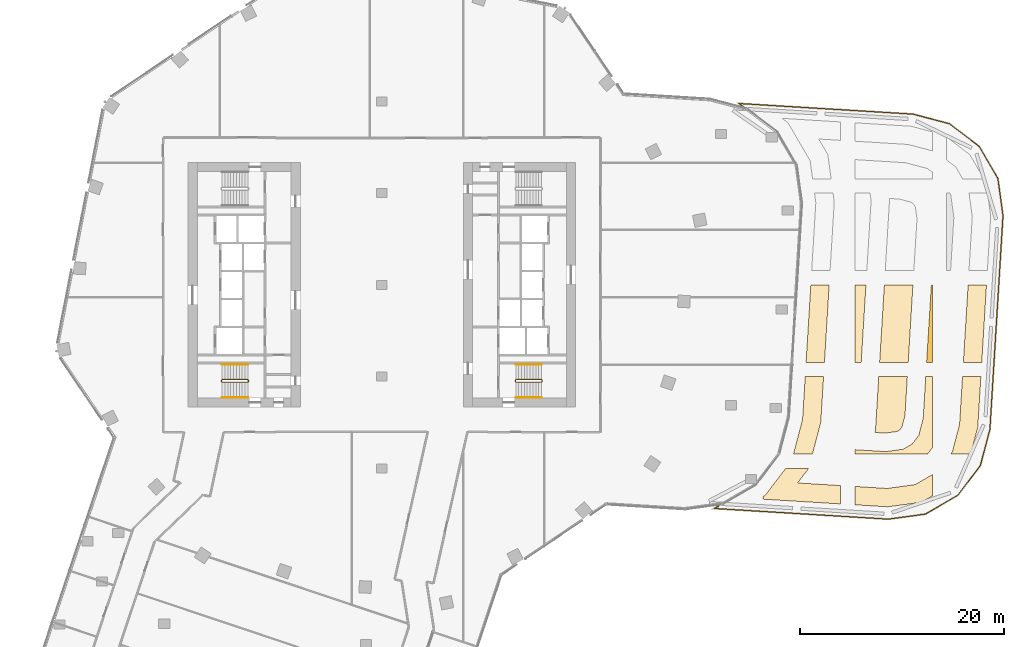
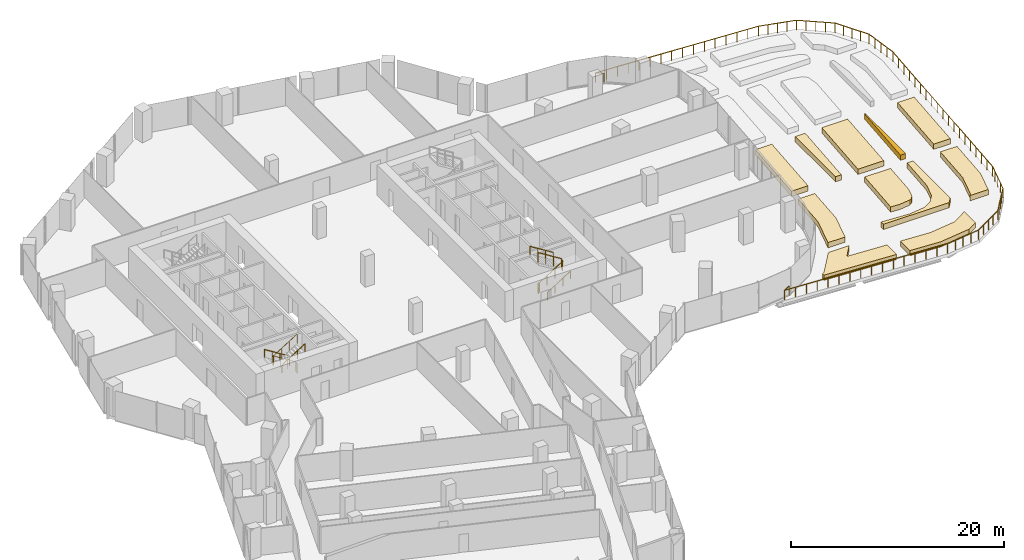
# One storey, part 25 of 26: 11 coverings, 7 railings.
"""IFC4 building model written with IfcOpenShell, lengths in metres."""

from ifc_helpers import new_model, si_unit, direction, frame, origin, origin_2d, place, context, subcontext, project, spatial, polyline, circle, outline, extrude, material, layer, layer_set, type_object, element, save


model = new_model("IFC4")

# Units and contexts
model_context = context("Model", 3, precision=1e-05, world=origin(), true_north=direction((0.0, 1.0)))
body_context = subcontext(model_context, "Body", "Model", "MODEL_VIEW")
ifc_project = project(units=[si_unit("LENGTHUNIT", "METRE"), si_unit("AREAUNIT", "SQUARE_METRE"), si_unit("VOLUMEUNIT", "CUBIC_METRE"), si_unit("PLANEANGLEUNIT", "RADIAN"), si_unit("MASSUNIT", "GRAM", prefix="KILO")], contexts=[model_context])

# Site, building, storey
site_placement = place(None, origin())
site = spatial("IfcSite", under=ifc_project, at=site_placement, CompositionType="ELEMENT")
building_placement = place(site_placement, origin())
building = spatial("IfcBuilding", under=site, at=building_placement, Name="Orlundy Tower", CompositionType="ELEMENT")
storey_placement = place(building_placement, frame((0.0, 0.0, 156.10009765625)))
storey = spatial("IfcBuildingStorey", under=building, at=storey_placement, Name="L40", CompositionType="ELEMENT", Elevation=156.10009765625)

# Coverings
ifc_material_1 = material(Name="Planted soil in precast concrete trough", Category="concrete")
ifc_layer = layer(ifc_material_1, 0.60009765625)
ifc_layer_set = layer_set([ifc_layer], Name="PLANTER box")
covering_type = type_object("IfcCoveringType", Name="PLANTER box", PredefinedType="USERDEFINED", material=ifc_layer_set)
covering_1_placement = place(storey_placement, origin())
element("IfcCovering", 1, at=covering_1_placement, inside=storey, type_object=covering_type, Name="PLANTER L40-00", ObjectType="PLANTER", PredefinedType="USERDEFINED", context=body_context, shape_type="SweptSolid", body=[
    extrude(outline(polyline([(37.39990234375, -21.02197265625), (37.39990234375, -20.7548828125), (37.60888671875, -20.633056640625), (39.612060546875, -18.0), (41.867919921875, -18.0), (40.7890625, -19.426025390625), (45.0, -19.68408203125), (45.0, -21.487060546875), (37.39990234375, -21.02197265625)])), origin(), (0.0, 0.0, 1.0), 0.599853515625),
])
covering_2_placement = place(storey_placement, origin())
element("IfcCovering", 2, at=covering_2_placement, inside=storey, type_object=covering_type, Name="PLANTER L40-01", ObjectType="PLANTER", PredefinedType="USERDEFINED", context=body_context, shape_type="SweptSolid", body=[
    extrude(outline(polyline([(41.27099609375, -13.19189453125), (41.527099609375, -9.0), (43.3310546875, -9.0), (43.056884765625, -13.47900390625), (42.236083984375, -16.60009765625), (40.375, -16.60009765625), (41.27099609375, -13.19189453125)])), origin(), (0.0, 0.0, 1.0), 0.599853515625),
])
covering_3_placement = place(storey_placement, origin())
element("IfcCovering", 3, at=covering_3_placement, inside=storey, type_object=covering_type, Name="PLANTER L40-03", ObjectType="PLANTER", PredefinedType="USERDEFINED", context=body_context, shape_type="SweptSolid", body=[
    extrude(outline(polyline([(42.077880859375, 0.0), (43.881103515625, 0.0), (43.416015625, -7.60009765625), (41.613037109375, -7.60009765625), (42.077880859375, 0.0)])), origin(), (0.0, 0.0, 1.0), 0.599853515625),
])
covering_4_placement = place(storey_placement, origin())
element("IfcCovering", 4, at=covering_4_placement, inside=storey, type_object=covering_type, Name="PLANTER L40-06", ObjectType="PLANTER", PredefinedType="USERDEFINED", context=body_context, shape_type="SweptSolid", body=[
    extrude(outline(polyline([(52.926025390625, -21.322998046875), (49.635986328125, -21.77099609375), (46.39990234375, -21.572998046875), (46.39990234375, -19.77001953125), (49.569091796875, -19.964111328125), (52.327880859375, -19.587890625), (54.0, -18.613037109375), (54.0, -20.697021484375), (52.926025390625, -21.322998046875)])), origin(), (0.0, 0.0, 1.0), 0.599853515625),
])
covering_5_placement = place(storey_placement, origin())
element("IfcCovering", 5, at=covering_5_placement, inside=storey, type_object=covering_type, Name="PLANTER L40-08", ObjectType="PLANTER", PredefinedType="USERDEFINED", context=body_context, shape_type="SweptSolid", body=[
    extrude(outline(polyline([(58.4560546875, -13.967041015625), (57.762939453125, -16.60009765625), (55.7890625, -16.60009765625), (55.9609375, -16.373046875), (56.669921875, -13.679931640625), (56.95703125, -9.0), (58.760009765625, -9.0), (58.4560546875, -13.967041015625)])), origin(), (0.0, 0.0, 1.0), 0.599853515625),
])
covering_6_placement = place(storey_placement, origin())
element("IfcCovering", 6, at=covering_6_placement, inside=storey, type_object=covering_type, Name="PLANTER L40-09", ObjectType="PLANTER", PredefinedType="USERDEFINED", context=body_context, shape_type="SweptSolid", body=[
    extrude(outline(polyline([(58.845947265625, -7.60009765625), (57.0419921875, -7.60009765625), (57.508056640625, 0.0), (59.31103515625, 0.0), (58.845947265625, -7.60009765625)])), origin(), (0.0, 0.0, 1.0), 0.599853515625),
])
covering_7_placement = place(storey_placement, origin())
element("IfcCovering", 7, at=covering_7_placement, inside=storey, type_object=covering_type, Name="PLANTER L40-011", ObjectType="PLANTER", PredefinedType="USERDEFINED", context=body_context, shape_type="SweptSolid", body=[
    extrude(outline(polyline([(47.02294921875, -7.60009765625), (46.39990234375, -7.60009765625), (46.39990234375, 0.0), (47.488037109375, 0.0), (47.02294921875, -7.60009765625)])), origin(), (0.0, 0.0, 1.0), 0.599853515625),
])
covering_8_placement = place(storey_placement, origin())
element("IfcCovering", 8, at=covering_8_placement, inside=storey, type_object=covering_type, Name="PLANTER L40-014", ObjectType="PLANTER", PredefinedType="USERDEFINED", context=body_context, shape_type="SweptSolid", body=[
    extrude(outline(polyline([(53.527099609375, -16.60009765625), (46.39990234375, -16.60009765625), (46.39990234375, -16.1640625), (49.43505859375, -16.34912109375), (51.133056640625, -16.116943359375), (52.031982421875, -15.593017578125), (52.662109375, -14.763916015625), (53.09912109375, -13.10693359375), (53.35009765625, -9.0), (54.0, -9.0), (54.0, -15.97802734375), (53.527099609375, -16.60009765625)])), origin(), (0.0, 0.0, 1.0), 0.599853515625),
])
covering_9_placement = place(storey_placement, origin())
element("IfcCovering", 9, at=covering_9_placement, inside=storey, type_object=covering_type, Name="PLANTER L40-015", ObjectType="PLANTER", PredefinedType="USERDEFINED", context=body_context, shape_type="SweptSolid", body=[
    extrude(outline(polyline([(53.90087890625, 0.0), (54.0, 0.0), (54.0, -7.60009765625), (53.43603515625, -7.60009765625), (53.90087890625, 0.0)])), origin(), (0.0, 0.0, 1.0), 0.599853515625),
])
covering_10_placement = place(storey_placement, origin())
element("IfcCovering", 10, at=covering_10_placement, inside=storey, type_object=covering_type, Name="PLANTER L40-017", ObjectType="PLANTER", PredefinedType="USERDEFINED", context=body_context, shape_type="SweptSolid", body=[
    extrude(outline(polyline([(48.4140625, -14.337890625), (48.740966796875, -9.0), (51.547119140625, -9.0), (51.31298828125, -12.820068359375), (51.012939453125, -13.9599609375), (50.81591796875, -14.218017578125), (50.534912109375, -14.382080078125), (49.367919921875, -14.541015625), (48.376953125, -14.47998046875), (48.4140625, -14.337890625)])), origin(), (0.0, 0.0, 1.0), 0.599853515625),
])
covering_11_placement = place(storey_placement, origin())
element("IfcCovering", 11, at=covering_11_placement, inside=storey, type_object=covering_type, Name="PLANTER L40-018", ObjectType="PLANTER", PredefinedType="USERDEFINED", context=body_context, shape_type="SweptSolid", body=[
    extrude(outline(polyline([(49.291015625, 0.0), (52.096923828125, 0.0), (51.632080078125, -7.60009765625), (48.825927734375, -7.60009765625), (49.291015625, 0.0)])), origin(), (0.0, 0.0, 1.0), 0.599853515625),
])

# Railings
ifc_material_2 = material(Name="Steel balustrade", Category="steel")
railing_type_1 = type_object("IfcRailingType", Name="Stair Guard 1100", PredefinedType="GUARDRAIL", material=ifc_material_2)
railing_1_placement = place(storey_placement, frame((-13.090087890625, -9.35009765625, 0.0)))
element("IfcRailing", 12, at=railing_1_placement, inside=storey, type_object=railing_type_1, Name="L40 ST-W2 stair guard 1", PredefinedType="GUARDRAIL", context=body_context, shape_type="SweptSolid", body=[
    extrude(circle(Radius=0.02392578125, at=origin_2d()), frame((0.0, 0.0, 1.076171875), z_axis=(0.0, -1.0, 0.0), x_axis=(1.0, 0.0, 0.0)), (0.0, 0.0, 1.0), 0.14990234375),
    extrude(circle(Radius=0.02392578125, at=origin_2d()), frame((0.0, -0.14990234375, 1.076171875), z_axis=(-0.184313129624, 0.739963005698, 0.646902945152), x_axis=(-0.970351222016, -0.241699205484, 0.0)), (0.0, 0.0, 1.0), 0.270263671875),
    extrude(circle(Radius=0.02392578125, at=origin_2d()), frame((-0.0498046875, 0.050048828125, 1.2509765625), z_axis=(-0.847970611238, 0.0, 0.530043245855), x_axis=(0.0, -1.0, 0.0)), (0.0, 0.0, 1.0), 2.971923828125),
    extrude(circle(Radius=0.02392578125, at=origin_2d()), frame((-2.56982421875, 0.050048828125, 2.826171875), z_axis=(-0.707106781187, -0.707106781187, 0.0), x_axis=(0.707106781187, -0.707106781187, 0.0)), (0.0, 0.0, 1.0), 0.07080078125),
    extrude(circle(Radius=0.02392578125, at=origin_2d()), frame((-2.619873046875, 0.0, 2.826171875), z_axis=(0.0, -1.0, 0.0), x_axis=(1.0, 0.0, 0.0)), (0.0, 0.0, 1.0), 0.14990234375),
    extrude(circle(Radius=0.02392578125, at=origin_2d()), frame((-2.619873046875, -0.14990234375, 2.826171875), z_axis=(0.265383341853, -0.265383341853, 0.926899867156), x_axis=(0.707106781187, 0.707106781187, 0.0)), (0.0, 0.0, 1.0), 0.1884765625),
    extrude(circle(Radius=0.02392578125, at=origin_2d()), frame((-2.56982421875, -0.199951171875, 3.0009765625), z_axis=(0.847970611238, 0.0, 0.530043245855), x_axis=(0.0, 1.0, 0.0)), (0.0, 0.0, 1.0), 2.971923828125),
    extrude(circle(Radius=0.02099609375, at=origin_2d()), origin(), (0.0, 0.0, 1.0), 1.052001953125),
    extrude(circle(Radius=0.02099609375, at=origin_2d()), frame((0.0, -0.14990234375, 0.0)), (0.0, 0.0, 1.0), 1.052001953125),
    extrude(circle(Radius=0.02099609375, at=origin_2d()), frame((-0.0498046875, 0.050048828125, 0.1748046875)), (0.0, 0.0, 1.0), 1.052001953125),
    extrude(circle(Radius=0.02099609375, at=origin_2d()), frame((-0.889892578125, 0.050048828125, 0.699951171875)), (0.0, 0.0, 1.0), 1.052001953125),
    extrude(circle(Radius=0.02099609375, at=origin_2d()), frame((-1.729736328125, 0.050048828125, 1.224853515625)), (0.0, 0.0, 1.0), 1.052001953125),
    extrude(circle(Radius=0.02099609375, at=origin_2d()), frame((-2.56982421875, 0.050048828125, 1.75)), (0.0, 0.0, 1.0), 1.052001953125),
    extrude(circle(Radius=0.02099609375, at=origin_2d()), frame((-2.619873046875, 0.0, 1.75)), (0.0, 0.0, 1.0), 1.052001953125),
    extrude(circle(Radius=0.02099609375, at=origin_2d()), frame((-2.619873046875, -0.14990234375, 1.75)), (0.0, 0.0, 1.0), 1.052001953125),
    extrude(circle(Radius=0.02099609375, at=origin_2d()), frame((-2.56982421875, -0.199951171875, 1.9248046875)), (0.0, 0.0, 1.0), 1.052001953125),
    extrude(circle(Radius=0.02099609375, at=origin_2d()), frame((-1.729736328125, -0.199951171875, 2.449951171875)), (0.0, 0.0, 1.0), 1.052001953125),
    extrude(circle(Radius=0.02099609375, at=origin_2d()), frame((-0.889892578125, -0.199951171875, 2.974853515625)), (0.0, 0.0, 1.0), 1.052001953125),
    extrude(circle(Radius=0.02099609375, at=origin_2d()), frame((-0.0498046875, -0.199951171875, 3.5)), (0.0, 0.0, 1.0), 1.052001953125),
])
railing_2_placement = place(storey_placement, frame((13.090087890625, -9.5, 0.0)))
element("IfcRailing", 13, at=railing_2_placement, inside=storey, type_object=railing_type_1, Name="L40 ST-E1 stair guard 1", PredefinedType="GUARDRAIL", context=body_context, shape_type="SweptSolid", body=[
    extrude(circle(Radius=0.02392578125, at=origin_2d()), frame((0.0, 0.0, 1.076171875), z_axis=(0.0, 1.0, 0.0), x_axis=(-1.0, 0.0, 0.0)), (0.0, 0.0, 1.0), 0.14990234375),
    extrude(circle(Radius=0.02392578125, at=origin_2d()), frame((0.0, 0.14990234375, 1.076171875), z_axis=(0.184313129624, -0.739963005698, 0.646902945152), x_axis=(0.970351222016, 0.241699205484, 0.0)), (0.0, 0.0, 1.0), 0.270263671875),
    extrude(circle(Radius=0.02392578125, at=origin_2d()), frame((0.0498046875, -0.050048828125, 1.2509765625), z_axis=(0.847970611238, 0.0, 0.530043245855), x_axis=(0.0, 1.0, 0.0)), (0.0, 0.0, 1.0), 2.971923828125),
    extrude(circle(Radius=0.02392578125, at=origin_2d()), frame((2.56982421875, -0.050048828125, 2.826171875), z_axis=(0.707106781187, 0.707106781187, 0.0), x_axis=(-0.707106781187, 0.707106781187, 0.0)), (0.0, 0.0, 1.0), 0.07080078125),
    extrude(circle(Radius=0.02392578125, at=origin_2d()), frame((2.619873046875, 0.0, 2.826171875), z_axis=(0.0, 1.0, 0.0), x_axis=(-1.0, 0.0, 0.0)), (0.0, 0.0, 1.0), 0.14990234375),
    extrude(circle(Radius=0.02392578125, at=origin_2d()), frame((2.619873046875, 0.14990234375, 2.826171875), z_axis=(-0.265383341853, 0.265383341853, 0.926899867156), x_axis=(-0.707106781187, -0.707106781187, 0.0)), (0.0, 0.0, 1.0), 0.1884765625),
    extrude(circle(Radius=0.02392578125, at=origin_2d()), frame((2.56982421875, 0.199951171875, 3.0009765625), z_axis=(-0.847970611238, 0.0, 0.530043245855), x_axis=(0.0, -1.0, 0.0)), (0.0, 0.0, 1.0), 2.971923828125),
    extrude(circle(Radius=0.02099609375, at=origin_2d()), origin(), (0.0, 0.0, 1.0), 1.052001953125),
    extrude(circle(Radius=0.02099609375, at=origin_2d()), frame((0.0, 0.14990234375, 0.0)), (0.0, 0.0, 1.0), 1.052001953125),
    extrude(circle(Radius=0.02099609375, at=origin_2d()), frame((0.0498046875, -0.050048828125, 0.1748046875)), (0.0, 0.0, 1.0), 1.052001953125),
    extrude(circle(Radius=0.02099609375, at=origin_2d()), frame((0.889892578125, -0.050048828125, 0.699951171875)), (0.0, 0.0, 1.0), 1.052001953125),
    extrude(circle(Radius=0.02099609375, at=origin_2d()), frame((1.729736328125, -0.050048828125, 1.224853515625)), (0.0, 0.0, 1.0), 1.052001953125),
    extrude(circle(Radius=0.02099609375, at=origin_2d()), frame((2.56982421875, -0.050048828125, 1.75)), (0.0, 0.0, 1.0), 1.052001953125),
    extrude(circle(Radius=0.02099609375, at=origin_2d()), frame((2.619873046875, 0.0, 1.75)), (0.0, 0.0, 1.0), 1.052001953125),
    extrude(circle(Radius=0.02099609375, at=origin_2d()), frame((2.619873046875, 0.14990234375, 1.75)), (0.0, 0.0, 1.0), 1.052001953125),
    extrude(circle(Radius=0.02099609375, at=origin_2d()), frame((2.56982421875, 0.199951171875, 1.9248046875)), (0.0, 0.0, 1.0), 1.052001953125),
    extrude(circle(Radius=0.02099609375, at=origin_2d()), frame((1.729736328125, 0.199951171875, 2.449951171875)), (0.0, 0.0, 1.0), 1.052001953125),
    extrude(circle(Radius=0.02099609375, at=origin_2d()), frame((0.889892578125, 0.199951171875, 2.974853515625)), (0.0, 0.0, 1.0), 1.052001953125),
    extrude(circle(Radius=0.02099609375, at=origin_2d()), frame((0.0498046875, 0.199951171875, 3.5)), (0.0, 0.0, 1.0), 1.052001953125),
])
ifc_material_3 = material(Name="Steel handrail", Category="steel")
railing_type_2 = type_object("IfcRailingType", Name="Stair Handrail 900", PredefinedType="HANDRAIL", material=ifc_material_3)
railing_3_placement = place(storey_placement, frame((-13.139892578125, -7.800048828125, 0.1748046875)))
element("IfcRailing", 14, at=railing_3_placement, inside=storey, type_object=railing_type_2, Name="L40 ST-W2 stair handrail 1", PredefinedType="HANDRAIL", context=body_context, shape_type="SweptSolid", body=[
    extrude(circle(Radius=0.02392578125, at=origin_2d()), frame((0.0, 0.0, 0.8759765625), z_axis=(-0.847970611238, 0.0, 0.530043245855), x_axis=(0.0, -1.0, 0.0)), (0.0, 0.0, 1.0), 2.971923828125),
    extrude(circle(Radius=0.02099609375, at=origin_2d()), origin(), (0.0, 0.0, 1.0), 0.851806640625),
    extrude(circle(Radius=0.02099609375, at=origin_2d()), frame((-0.840087890625, 0.0, 0.525146484375)), (0.0, 0.0, 1.0), 0.851806640625),
    extrude(circle(Radius=0.02099609375, at=origin_2d()), frame((-1.679931640625, 0.0, 1.050048828125)), (0.0, 0.0, 1.0), 0.851806640625),
    extrude(circle(Radius=0.02099609375, at=origin_2d()), frame((-2.52001953125, 0.0, 1.5751953125)), (0.0, 0.0, 1.0), 0.851806640625),
])
for number, where, name in (
    (15, (-15.659912109375, -11.050048828125, 1.9248046875), "L40 ST-W2 stair handrail 2"),
    (16, (13.139892578125, -11.050048828125, 0.1748046875), "L40 ST-E1 stair handrail 1"),
):
    element("IfcRailing", number, at=place(storey_placement, frame(where)), inside=storey, type_object=railing_type_2, Name=name, PredefinedType="HANDRAIL", context=body_context, shape_type="SweptSolid", body=[
        extrude(circle(Radius=0.02392578125, at=origin_2d()), frame((0.0, 0.0, 0.8759765625), z_axis=(0.847970611238, 0.0, 0.530043245855), x_axis=(0.0, 1.0, 0.0)), (0.0, 0.0, 1.0), 2.971923828125),
        extrude(circle(Radius=0.02099609375, at=origin_2d()), origin(), (0.0, 0.0, 1.0), 0.851806640625),
        extrude(circle(Radius=0.02099609375, at=origin_2d()), frame((0.840087890625, 0.0, 0.525146484375)), (0.0, 0.0, 1.0), 0.851806640625),
        extrude(circle(Radius=0.02099609375, at=origin_2d()), frame((1.679931640625, 0.0, 1.050048828125)), (0.0, 0.0, 1.0), 0.851806640625),
        extrude(circle(Radius=0.02099609375, at=origin_2d()), frame((2.52001953125, 0.0, 1.5751953125)), (0.0, 0.0, 1.0), 0.851806640625),
    ])
railing_4_placement = place(storey_placement, frame((15.659912109375, -7.800048828125, 1.9248046875)))
element("IfcRailing", 17, at=railing_4_placement, inside=storey, type_object=railing_type_2, Name="L40 ST-E1 stair handrail 2", PredefinedType="HANDRAIL", context=body_context, shape_type="SweptSolid", body=[
    extrude(circle(Radius=0.02392578125, at=origin_2d()), frame((0.0, 0.0, 0.8759765625), z_axis=(-0.847970611238, 0.0, 0.530043245855), x_axis=(0.0, -1.0, 0.0)), (0.0, 0.0, 1.0), 2.971923828125),
    extrude(circle(Radius=0.02099609375, at=origin_2d()), origin(), (0.0, 0.0, 1.0), 0.851806640625),
    extrude(circle(Radius=0.02099609375, at=origin_2d()), frame((-0.840087890625, 0.0, 0.525146484375)), (0.0, 0.0, 1.0), 0.851806640625),
    extrude(circle(Radius=0.02099609375, at=origin_2d()), frame((-1.679931640625, 0.0, 1.050048828125)), (0.0, 0.0, 1.0), 0.851806640625),
    extrude(circle(Radius=0.02099609375, at=origin_2d()), frame((-2.52001953125, 0.0, 1.5751953125)), (0.0, 0.0, 1.0), 0.851806640625),
])
ifc_material_4 = material(Name="Stainless steel bronze finish", Category="steel")
railing_type_3 = type_object("IfcRailingType", Name="TG1 terrace guard", PredefinedType="GUARDRAIL", material=ifc_material_4)
railing_5_placement = place(storey_placement, frame((35.666015625, 17.3134765625, 0.0)))
element("IfcRailing", 18, at=railing_5_placement, inside=storey, type_object=railing_type_3, Name="Guard TG-L40-00", PredefinedType="GUARDRAIL", context=body_context, shape_type="SweptSolid", body=[
    extrude(circle(Radius=0.02490234375, at=origin_2d()), frame((0.0, 0.0, 1.09521484375), z_axis=(-0.796108862502, 0.605153434301, 0.0), x_axis=(-0.605153434301, -0.796108862502, 0.0)), (0.0, 0.0, 1.0), 0.7939453125),
    extrude(circle(Radius=0.02490234375, at=origin_2d()), frame((-0.632080078125, 0.48046875, 1.09521484375), z_axis=(0.998136500913, -0.061020697671, 0.0), x_axis=(0.061020697671, 0.998136500913, 0.0)), (0.0, 0.0, 1.0), 17.108154296875),
    extrude(circle(Radius=0.02490234375, at=origin_2d()), frame((16.444091796875, -0.5634765625, 1.09521484375), z_axis=(0.966973816668, -0.254875730264, 0.0), x_axis=(0.254875730264, 0.966973816668, 0.0)), (0.0, 0.0, 1.0), 3.67626953125),
    extrude(circle(Radius=0.02490234375, at=origin_2d()), frame((19.9990234375, -1.50048828125, 1.09521484375), z_axis=(0.796181435659, -0.605057948888, 0.0), x_axis=(0.605057948888, 0.796181435659, 0.0)), (0.0, 0.0, 1.0), 3.66748046875),
    extrude(circle(Radius=0.02490234375, at=origin_2d()), frame((22.9189453125, -3.719482421875, 1.09521484375), z_axis=(0.503771651119, -0.863836861641, 0.0), x_axis=(0.863836861641, 0.503771651119, 0.0)), (0.0, 0.0, 1.0), 3.666259765625),
    extrude(circle(Radius=0.02490234375, at=origin_2d()), frame((24.765869140625, -6.886474609375, 1.09521484375), z_axis=(0.134893983353, -0.990860037167, 0.0), x_axis=(0.990860037167, 0.134893983353, 0.0)), (0.0, 0.0, 1.0), 3.677734375),
    extrude(circle(Radius=0.02490234375, at=origin_2d()), frame((25.261962890625, -10.530517578125, 1.09521484375), z_axis=(-0.061058248087, -0.998134204574, 0.0), x_axis=(0.998134204574, -0.061058248087, 0.0)), (0.0, 0.0, 1.0), 20.97998046875),
    extrude(circle(Radius=0.02490234375, at=origin_2d()), frame((23.98095703125, -31.471435546875, 1.09521484375), z_axis=(-0.254875730264, -0.966973816668, 0.0), x_axis=(0.966973816668, -0.254875730264, 0.0)), (0.0, 0.0, 1.0), 3.67626953125),
    extrude(circle(Radius=0.02490234375, at=origin_2d()), frame((23.0439453125, -35.0263671875, 1.09521484375), z_axis=(-0.605025880767, -0.796205804803, 0.0), x_axis=(0.796205804803, -0.605025880767, 0.0)), (0.0, 0.0, 1.0), 3.66748046875),
    extrude(circle(Radius=0.02490234375, at=origin_2d()), frame((20.824951171875, -37.946533203125, 1.09521484375), z_axis=(-0.863836861641, -0.503771651119, 0.0), x_axis=(0.503771651119, -0.863836861641, 0.0)), (0.0, 0.0, 1.0), 3.666259765625),
    extrude(circle(Radius=0.02490234375, at=origin_2d()), frame((17.657958984375, -39.79345703125, 1.09521484375), z_axis=(-0.990860037167, -0.134893983353, 0.0), x_axis=(0.134893983353, -0.990860037167, 0.0)), (0.0, 0.0, 1.0), 3.677734375),
    extrude(circle(Radius=0.02490234375, at=origin_2d()), frame((14.013916015625, -40.28955078125, 1.09521484375), z_axis=(-0.998131886203, 0.061096135273, 0.0), x_axis=(-0.061096135273, -0.998131886203, 0.0)), (0.0, 0.0, 1.0), 17.10693359375),
    extrude(circle(Radius=0.02490234375, at=origin_2d()), frame((-3.06103515625, -39.244384765625, 1.09521484375), z_axis=(0.863867898774, 0.503718426771, 0.0), x_axis=(-0.503718426771, 0.863867898774, 0.0)), (0.0, 0.0, 1.0), 0.7958984375),
    extrude(circle(Radius=0.02001953125, at=origin_2d()), origin(), (0.0, 0.0, 1.0), 1.070068359375),
    extrude(circle(Radius=0.02001953125, at=origin_2d()), frame((-0.632080078125, 0.48046875, 0.0)), (0.0, 0.0, 1.0), 1.070068359375),
    extrude(circle(Radius=0.02001953125, at=origin_2d()), frame((0.50634765625, 0.410888671875, 0.0)), (0.0, 0.0, 1.0), 1.070068359375),
    extrude(circle(Radius=0.02001953125, at=origin_2d()), frame((1.644775390625, 0.34130859375, 0.0)), (0.0, 0.0, 1.0), 1.070068359375),
    extrude(circle(Radius=0.02001953125, at=origin_2d()), frame((2.783203125, 0.271728515625, 0.0)), (0.0, 0.0, 1.0), 1.070068359375),
    extrude(circle(Radius=0.02001953125, at=origin_2d()), frame((3.921630859375, 0.2021484375, 0.0)), (0.0, 0.0, 1.0), 1.070068359375),
    extrude(circle(Radius=0.02001953125, at=origin_2d()), frame((5.06005859375, 0.132568359375, 0.0)), (0.0, 0.0, 1.0), 1.070068359375),
    extrude(circle(Radius=0.02001953125, at=origin_2d()), frame((6.198486328125, 0.06298828125, 0.0)), (0.0, 0.0, 1.0), 1.070068359375),
    extrude(circle(Radius=0.02001953125, at=origin_2d()), frame((7.3369140625, -0.006591796875, 0.0)), (0.0, 0.0, 1.0), 1.070068359375),
    extrude(circle(Radius=0.02001953125, at=origin_2d()), frame((8.47509765625, -0.076416015625, 0.0)), (0.0, 0.0, 1.0), 1.070068359375),
    extrude(circle(Radius=0.02001953125, at=origin_2d()), frame((9.613525390625, -0.14599609375, 0.0)), (0.0, 0.0, 1.0), 1.070068359375),
    extrude(circle(Radius=0.02001953125, at=origin_2d()), frame((10.751953125, -0.215576171875, 0.0)), (0.0, 0.0, 1.0), 1.070068359375),
    extrude(circle(Radius=0.02001953125, at=origin_2d()), frame((11.890380859375, -0.28515625, 0.0)), (0.0, 0.0, 1.0), 1.070068359375),
    extrude(circle(Radius=0.02001953125, at=origin_2d()), frame((13.02880859375, -0.354736328125, 0.0)), (0.0, 0.0, 1.0), 1.070068359375),
    extrude(circle(Radius=0.02001953125, at=origin_2d()), frame((14.167236328125, -0.42431640625, 0.0)), (0.0, 0.0, 1.0), 1.070068359375),
    extrude(circle(Radius=0.02001953125, at=origin_2d()), frame((15.3056640625, -0.493896484375, 0.0)), (0.0, 0.0, 1.0), 1.070068359375),
    extrude(circle(Radius=0.02001953125, at=origin_2d()), frame((16.444091796875, -0.5634765625, 0.0)), (0.0, 0.0, 1.0), 1.070068359375),
    extrude(circle(Radius=0.02001953125, at=origin_2d()), frame((17.332763671875, -0.7978515625, 0.0)), (0.0, 0.0, 1.0), 1.070068359375),
    extrude(circle(Radius=0.02001953125, at=origin_2d()), frame((18.2216796875, -1.031982421875, 0.0)), (0.0, 0.0, 1.0), 1.070068359375),
    extrude(circle(Radius=0.02001953125, at=origin_2d()), frame((19.1103515625, -1.26611328125, 0.0)), (0.0, 0.0, 1.0), 1.070068359375),
    extrude(circle(Radius=0.02001953125, at=origin_2d()), frame((19.9990234375, -1.50048828125, 0.0)), (0.0, 0.0, 1.0), 1.070068359375),
    extrude(circle(Radius=0.02001953125, at=origin_2d()), frame((20.72900390625, -2.05517578125, 0.0)), (0.0, 0.0, 1.0), 1.070068359375),
    extrude(circle(Radius=0.02001953125, at=origin_2d()), frame((21.458984375, -2.60986328125, 0.0)), (0.0, 0.0, 1.0), 1.070068359375),
    extrude(circle(Radius=0.02001953125, at=origin_2d()), frame((22.18896484375, -3.164794921875, 0.0)), (0.0, 0.0, 1.0), 1.070068359375),
    extrude(circle(Radius=0.02001953125, at=origin_2d()), frame((22.9189453125, -3.719482421875, 0.0)), (0.0, 0.0, 1.0), 1.070068359375),
    extrude(circle(Radius=0.02001953125, at=origin_2d()), frame((23.380615234375, -4.51123046875, 0.0)), (0.0, 0.0, 1.0), 1.070068359375),
    extrude(circle(Radius=0.02001953125, at=origin_2d()), frame((23.84228515625, -5.302978515625, 0.0)), (0.0, 0.0, 1.0), 1.070068359375),
    extrude(circle(Radius=0.02001953125, at=origin_2d()), frame((24.30419921875, -6.0947265625, 0.0)), (0.0, 0.0, 1.0), 1.070068359375),
    extrude(circle(Radius=0.02001953125, at=origin_2d()), frame((24.765869140625, -6.886474609375, 0.0)), (0.0, 0.0, 1.0), 1.070068359375),
    extrude(circle(Radius=0.02001953125, at=origin_2d()), frame((24.889892578125, -7.79736328125, 0.0)), (0.0, 0.0, 1.0), 1.070068359375),
    extrude(circle(Radius=0.02001953125, at=origin_2d()), frame((25.013916015625, -8.70849609375, 0.0)), (0.0, 0.0, 1.0), 1.070068359375),
    extrude(circle(Radius=0.02001953125, at=origin_2d()), frame((25.137939453125, -9.61962890625, 0.0)), (0.0, 0.0, 1.0), 1.070068359375),
    extrude(circle(Radius=0.02001953125, at=origin_2d()), frame((25.261962890625, -10.530517578125, 0.0)), (0.0, 0.0, 1.0), 1.070068359375),
    extrude(circle(Radius=0.02001953125, at=origin_2d()), frame((25.19091796875, -11.69384765625, 0.0)), (0.0, 0.0, 1.0), 1.070068359375),
    extrude(circle(Radius=0.02001953125, at=origin_2d()), frame((25.11962890625, -12.857177734375, 0.0)), (0.0, 0.0, 1.0), 1.070068359375),
    extrude(circle(Radius=0.02001953125, at=origin_2d()), frame((25.04833984375, -14.020751953125, 0.0)), (0.0, 0.0, 1.0), 1.070068359375),
    extrude(circle(Radius=0.02001953125, at=origin_2d()), frame((24.977294921875, -15.18408203125, 0.0)), (0.0, 0.0, 1.0), 1.070068359375),
    extrude(circle(Radius=0.02001953125, at=origin_2d()), frame((24.90625, -16.347412109375, 0.0)), (0.0, 0.0, 1.0), 1.070068359375),
    extrude(circle(Radius=0.02001953125, at=origin_2d()), frame((24.8349609375, -17.5107421875, 0.0)), (0.0, 0.0, 1.0), 1.070068359375),
    extrude(circle(Radius=0.02001953125, at=origin_2d()), frame((24.763671875, -18.67431640625, 0.0)), (0.0, 0.0, 1.0), 1.070068359375),
    extrude(circle(Radius=0.02001953125, at=origin_2d()), frame((24.692626953125, -19.837646484375, 0.0)), (0.0, 0.0, 1.0), 1.070068359375),
    extrude(circle(Radius=0.02001953125, at=origin_2d()), frame((24.62158203125, -21.0009765625, 0.0)), (0.0, 0.0, 1.0), 1.070068359375),
    extrude(circle(Radius=0.02001953125, at=origin_2d()), frame((24.55029296875, -22.164306640625, 0.0)), (0.0, 0.0, 1.0), 1.070068359375),
    extrude(circle(Radius=0.02001953125, at=origin_2d()), frame((24.47900390625, -23.32763671875, 0.0)), (0.0, 0.0, 1.0), 1.070068359375),
    extrude(circle(Radius=0.02001953125, at=origin_2d()), frame((24.407958984375, -24.4912109375, 0.0)), (0.0, 0.0, 1.0), 1.070068359375),
    extrude(circle(Radius=0.02001953125, at=origin_2d()), frame((24.3369140625, -25.654541015625, 0.0)), (0.0, 0.0, 1.0), 1.070068359375),
    extrude(circle(Radius=0.02001953125, at=origin_2d()), frame((24.265625, -26.81787109375, 0.0)), (0.0, 0.0, 1.0), 1.070068359375),
    extrude(circle(Radius=0.02001953125, at=origin_2d()), frame((24.1943359375, -27.981201171875, 0.0)), (0.0, 0.0, 1.0), 1.070068359375),
    extrude(circle(Radius=0.02001953125, at=origin_2d()), frame((24.123291015625, -29.144775390625, 0.0)), (0.0, 0.0, 1.0), 1.070068359375),
    extrude(circle(Radius=0.02001953125, at=origin_2d()), frame((24.05224609375, -30.30810546875, 0.0)), (0.0, 0.0, 1.0), 1.070068359375),
    extrude(circle(Radius=0.02001953125, at=origin_2d()), frame((23.98095703125, -31.471435546875, 0.0)), (0.0, 0.0, 1.0), 1.070068359375),
    extrude(circle(Radius=0.02001953125, at=origin_2d()), frame((23.74658203125, -32.360107421875, 0.0)), (0.0, 0.0, 1.0), 1.070068359375),
    extrude(circle(Radius=0.02001953125, at=origin_2d()), frame((23.512451171875, -33.2490234375, 0.0)), (0.0, 0.0, 1.0), 1.070068359375),
    extrude(circle(Radius=0.02001953125, at=origin_2d()), frame((23.2783203125, -34.1376953125, 0.0)), (0.0, 0.0, 1.0), 1.070068359375),
    extrude(circle(Radius=0.02001953125, at=origin_2d()), frame((23.0439453125, -35.0263671875, 0.0)), (0.0, 0.0, 1.0), 1.070068359375),
    extrude(circle(Radius=0.02001953125, at=origin_2d()), frame((22.4892578125, -35.75634765625, 0.0)), (0.0, 0.0, 1.0), 1.070068359375),
    extrude(circle(Radius=0.02001953125, at=origin_2d()), frame((21.9345703125, -36.486328125, 0.0)), (0.0, 0.0, 1.0), 1.070068359375),
    extrude(circle(Radius=0.02001953125, at=origin_2d()), frame((21.379638671875, -37.216552734375, 0.0)), (0.0, 0.0, 1.0), 1.070068359375),
    extrude(circle(Radius=0.02001953125, at=origin_2d()), frame((20.824951171875, -37.946533203125, 0.0)), (0.0, 0.0, 1.0), 1.070068359375),
    extrude(circle(Radius=0.02001953125, at=origin_2d()), frame((20.033203125, -38.408203125, 0.0)), (0.0, 0.0, 1.0), 1.070068359375),
    extrude(circle(Radius=0.02001953125, at=origin_2d()), frame((19.241455078125, -38.8701171875, 0.0)), (0.0, 0.0, 1.0), 1.070068359375),
    extrude(circle(Radius=0.02001953125, at=origin_2d()), frame((18.44970703125, -39.331787109375, 0.0)), (0.0, 0.0, 1.0), 1.070068359375),
    extrude(circle(Radius=0.02001953125, at=origin_2d()), frame((17.657958984375, -39.79345703125, 0.0)), (0.0, 0.0, 1.0), 1.070068359375),
    extrude(circle(Radius=0.02001953125, at=origin_2d()), frame((16.7470703125, -39.91748046875, 0.0)), (0.0, 0.0, 1.0), 1.070068359375),
    extrude(circle(Radius=0.02001953125, at=origin_2d()), frame((15.8359375, -40.04150390625, 0.0)), (0.0, 0.0, 1.0), 1.070068359375),
    extrude(circle(Radius=0.02001953125, at=origin_2d()), frame((14.9248046875, -40.16552734375, 0.0)), (0.0, 0.0, 1.0), 1.070068359375),
    extrude(circle(Radius=0.02001953125, at=origin_2d()), frame((14.013916015625, -40.28955078125, 0.0)), (0.0, 0.0, 1.0), 1.070068359375),
    extrude(circle(Radius=0.02001953125, at=origin_2d()), frame((12.87548828125, -40.219970703125, 0.0)), (0.0, 0.0, 1.0), 1.070068359375),
    extrude(circle(Radius=0.02001953125, at=origin_2d()), frame((11.7373046875, -40.150146484375, 0.0)), (0.0, 0.0, 1.0), 1.070068359375),
    extrude(circle(Radius=0.02001953125, at=origin_2d()), frame((10.598876953125, -40.08056640625, 0.0)), (0.0, 0.0, 1.0), 1.070068359375),
    extrude(circle(Radius=0.02001953125, at=origin_2d()), frame((9.460693359375, -40.0107421875, 0.0)), (0.0, 0.0, 1.0), 1.070068359375),
    extrude(circle(Radius=0.02001953125, at=origin_2d()), frame((8.322265625, -39.941162109375, 0.0)), (0.0, 0.0, 1.0), 1.070068359375),
    extrude(circle(Radius=0.02001953125, at=origin_2d()), frame((7.183837890625, -39.87158203125, 0.0)), (0.0, 0.0, 1.0), 1.070068359375),
    extrude(circle(Radius=0.02001953125, at=origin_2d()), frame((6.045654296875, -39.8017578125, 0.0)), (0.0, 0.0, 1.0), 1.070068359375),
    extrude(circle(Radius=0.02001953125, at=origin_2d()), frame((4.9072265625, -39.732177734375, 0.0)), (0.0, 0.0, 1.0), 1.070068359375),
    extrude(circle(Radius=0.02001953125, at=origin_2d()), frame((3.76904296875, -39.662353515625, 0.0)), (0.0, 0.0, 1.0), 1.070068359375),
    extrude(circle(Radius=0.02001953125, at=origin_2d()), frame((2.630615234375, -39.5927734375, 0.0)), (0.0, 0.0, 1.0), 1.070068359375),
    extrude(circle(Radius=0.02001953125, at=origin_2d()), frame((1.4921875, -39.523193359375, 0.0)), (0.0, 0.0, 1.0), 1.070068359375),
    extrude(circle(Radius=0.02001953125, at=origin_2d()), frame((0.35400390625, -39.453369140625, 0.0)), (0.0, 0.0, 1.0), 1.070068359375),
    extrude(circle(Radius=0.02001953125, at=origin_2d()), frame((-0.784423828125, -39.3837890625, 0.0)), (0.0, 0.0, 1.0), 1.070068359375),
    extrude(circle(Radius=0.02001953125, at=origin_2d()), frame((-1.922607421875, -39.31396484375, 0.0)), (0.0, 0.0, 1.0), 1.070068359375),
    extrude(circle(Radius=0.02001953125, at=origin_2d()), frame((-3.06103515625, -39.244384765625, 0.0)), (0.0, 0.0, 1.0), 1.070068359375),
    extrude(circle(Radius=0.02001953125, at=origin_2d()), frame((-2.37353515625, -38.843505859375, 0.0)), (0.0, 0.0, 1.0), 1.070068359375),
])

save(model, "model.ifc")
